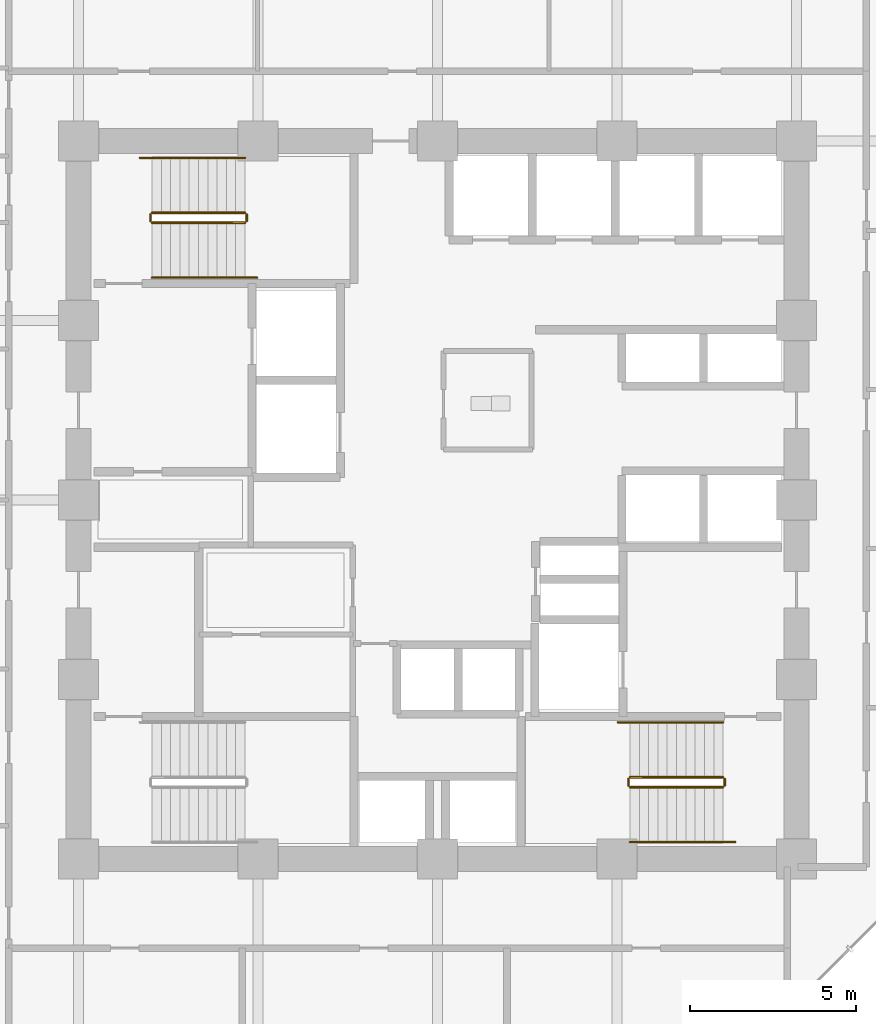
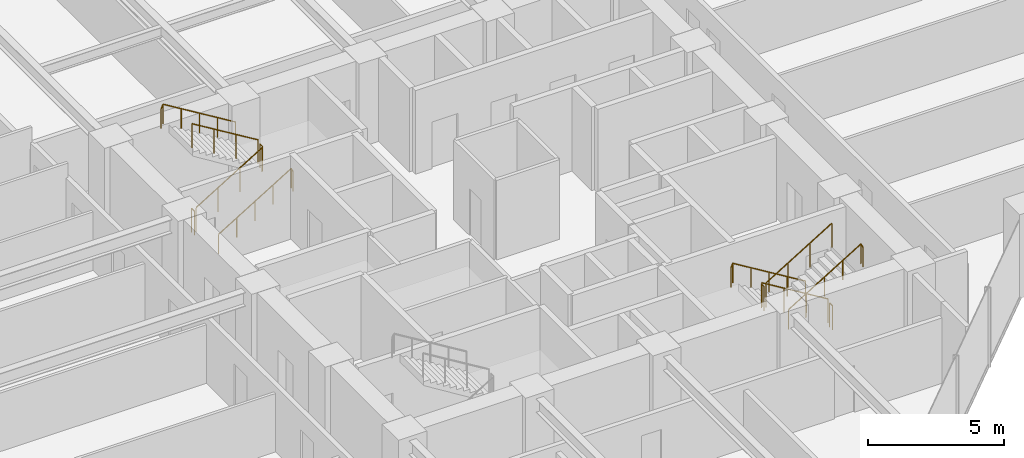
# One storey, part 26 of 28: 12 railings.
"""IFC4 building model written with IfcOpenShell, lengths in metres."""

from ifc_helpers import new_model, si_unit, direction, frame, origin, origin_2d, place, context, subcontext, project, spatial, circle, extrude, material, type_object, element, save


model = new_model("IFC4")

# Units and contexts
model_context = context("Model", 3, precision=1e-05, world=origin(), true_north=direction((0.0, 1.0)))
body_context = subcontext(model_context, "Body", "Model", "MODEL_VIEW")
ifc_project = project(units=[si_unit("LENGTHUNIT", "METRE"), si_unit("AREAUNIT", "SQUARE_METRE"), si_unit("VOLUMEUNIT", "CUBIC_METRE"), si_unit("PLANEANGLEUNIT", "RADIAN"), si_unit("MASSUNIT", "GRAM", prefix="KILO")], contexts=[model_context])

# Site, building, storey
site_placement = place(None, origin())
site = spatial("IfcSite", under=ifc_project, at=site_placement, CompositionType="ELEMENT")
building_placement = place(site_placement, origin())
building = spatial("IfcBuilding", under=site, at=building_placement, Name="Surkhivell Harbour Commons", CompositionType="ELEMENT")
storey_placement = place(building_placement, frame((0.0, 0.0, 67.5)))
storey = spatial("IfcBuildingStorey", under=building, at=storey_placement, Name="L17", CompositionType="ELEMENT", Elevation=67.5)

# Railings
ifc_material_1 = material(Name="Galvanised and painted steel S355 guard rail", Category="steel")
railing_type_1 = type_object("IfcRailingType", Name="RAL-ST-GRD1100", PredefinedType="GUARDRAIL", material=ifc_material_1)
railing_1_placement = place(storey_placement, frame((-8.590087890625, 8.340087890625, 0.17041015625)))
element("IfcRailing", 1, at=railing_1_placement, inside=storey, type_object=railing_type_1, Name="L17 ST1 stair guard 1", PredefinedType="GUARDRAIL", context=body_context, shape_type="SweptSolid", body=[
    extrude(circle(Radius=0.02392578125, at=origin_2d()), frame((0.0, 0.0, 1.076171875), z_axis=(0.854169791009, 0.0, 0.51999420009), x_axis=(0.0, 1.0, 0.0)), (0.0, 0.0, 1.0), 3.278076171875),
    extrude(circle(Radius=0.02099609375, at=origin_2d()), origin(), (0.0, 0.0, 1.0), 1.052001953125),
    extrude(circle(Radius=0.02099609375, at=origin_2d()), frame((0.933349609375, 0.0, 0.568115234375)), (0.0, 0.0, 1.0), 1.052001953125),
    extrude(circle(Radius=0.02099609375, at=origin_2d()), frame((1.86669921875, 0.0, 1.136474609375)), (0.0, 0.0, 1.0), 1.052001953125),
    extrude(circle(Radius=0.02099609375, at=origin_2d()), frame((2.800048828125, 0.0, 1.70458984375)), (0.0, 0.0, 1.0), 1.052001953125),
])
railing_2_placement = place(storey_placement, frame((-5.739990234375, 8.389892578125, 1.875)))
element("IfcRailing", 2, at=railing_2_placement, inside=storey, type_object=railing_type_1, Name="L17 ST1 stair guard 2", PredefinedType="GUARDRAIL", context=body_context, shape_type="SweptSolid", body=[
    extrude(circle(Radius=0.02392578125, at=origin_2d()), frame((0.0, 0.0, 1.076171875), z_axis=(0.0, 1.0, 0.0), x_axis=(-1.0, 0.0, 0.0)), (0.0, 0.0, 1.0), 0.2001953125),
    extrude(circle(Radius=0.02099609375, at=origin_2d()), origin(), (0.0, 0.0, 1.0), 1.052001953125),
    extrude(circle(Radius=0.02099609375, at=origin_2d()), frame((0.0, 0.2001953125, 0.0)), (0.0, 0.0, 1.0), 1.052001953125),
])
railing_3_placement = place(storey_placement, frame((-5.7900390625, 8.639892578125, 2.04541015625)))
element("IfcRailing", 3, at=railing_3_placement, inside=storey, type_object=railing_type_1, Name="L17 ST1 stair guard 3", PredefinedType="GUARDRAIL", context=body_context, shape_type="SweptSolid", body=[
    extrude(circle(Radius=0.02392578125, at=origin_2d()), frame((0.0, 0.0, 1.076171875), z_axis=(-0.854169791009, 0.0, 0.51999420009), x_axis=(0.0, -1.0, 0.0)), (0.0, 0.0, 1.0), 3.278076171875),
    extrude(circle(Radius=0.02099609375, at=origin_2d()), origin(), (0.0, 0.0, 1.0), 1.052001953125),
    extrude(circle(Radius=0.02099609375, at=origin_2d()), frame((-0.933349609375, 0.0, 0.568115234375)), (0.0, 0.0, 1.0), 1.052001953125),
    extrude(circle(Radius=0.02099609375, at=origin_2d()), frame((-1.86669921875, 0.0, 1.136474609375)), (0.0, 0.0, 1.0), 1.052001953125),
    extrude(circle(Radius=0.02099609375, at=origin_2d()), frame((-2.800048828125, 0.0, 1.70458984375)), (0.0, 0.0, 1.0), 1.052001953125),
])
railing_4_placement = place(storey_placement, frame((-8.639892578125, 8.389892578125, 0.0)))
element("IfcRailing", 4, at=railing_4_placement, inside=storey, type_object=railing_type_1, Name="L17 ST1 stair guard 4", PredefinedType="GUARDRAIL", context=body_context, shape_type="SweptSolid", body=[
    extrude(circle(Radius=0.02392578125, at=origin_2d()), frame((0.0, 0.0, 1.076171875), z_axis=(0.0, 1.0, 0.0), x_axis=(-1.0, 0.0, 0.0)), (0.0, 0.0, 1.0), 0.2001953125),
    extrude(circle(Radius=0.02099609375, at=origin_2d()), origin(), (0.0, 0.0, 1.0), 1.052001953125),
    extrude(circle(Radius=0.02099609375, at=origin_2d()), frame((0.0, 0.2001953125, 0.0)), (0.0, 0.0, 1.0), 1.052001953125),
])
railing_5_placement = place(storey_placement, frame((8.590087890625, -8.340087890625, 0.17041015625)))
element("IfcRailing", 5, at=railing_5_placement, inside=storey, type_object=railing_type_1, Name="L17 ST2 stair guard 1", PredefinedType="GUARDRAIL", context=body_context, shape_type="SweptSolid", body=[
    extrude(circle(Radius=0.02392578125, at=origin_2d()), frame((0.0, 0.0, 1.076171875), z_axis=(-0.854169791009, 0.0, 0.51999420009), x_axis=(0.0, -1.0, 0.0)), (0.0, 0.0, 1.0), 3.278076171875),
    extrude(circle(Radius=0.02099609375, at=origin_2d()), origin(), (0.0, 0.0, 1.0), 1.052001953125),
    extrude(circle(Radius=0.02099609375, at=origin_2d()), frame((-0.933349609375, 0.0, 0.568115234375)), (0.0, 0.0, 1.0), 1.052001953125),
    extrude(circle(Radius=0.02099609375, at=origin_2d()), frame((-1.86669921875, 0.0, 1.136474609375)), (0.0, 0.0, 1.0), 1.052001953125),
    extrude(circle(Radius=0.02099609375, at=origin_2d()), frame((-2.800048828125, 0.0, 1.70458984375)), (0.0, 0.0, 1.0), 1.052001953125),
])
railing_6_placement = place(storey_placement, frame((5.739990234375, -8.389892578125, 1.875)))
element("IfcRailing", 6, at=railing_6_placement, inside=storey, type_object=railing_type_1, Name="L17 ST2 stair guard 2", PredefinedType="GUARDRAIL", context=body_context, shape_type="SweptSolid", body=[
    extrude(circle(Radius=0.02392578125, at=origin_2d()), frame((0.0, 0.0, 1.076171875), z_axis=(0.0, -1.0, 0.0), x_axis=(1.0, 0.0, 0.0)), (0.0, 0.0, 1.0), 0.2001953125),
    extrude(circle(Radius=0.02099609375, at=origin_2d()), origin(), (0.0, 0.0, 1.0), 1.052001953125),
    extrude(circle(Radius=0.02099609375, at=origin_2d()), frame((0.0, -0.2001953125, 0.0)), (0.0, 0.0, 1.0), 1.052001953125),
])
railing_7_placement = place(storey_placement, frame((5.7900390625, -8.639892578125, 2.04541015625)))
element("IfcRailing", 7, at=railing_7_placement, inside=storey, type_object=railing_type_1, Name="L17 ST2 stair guard 3", PredefinedType="GUARDRAIL", context=body_context, shape_type="SweptSolid", body=[
    extrude(circle(Radius=0.02392578125, at=origin_2d()), frame((0.0, 0.0, 1.076171875), z_axis=(0.854169791009, 0.0, 0.51999420009), x_axis=(0.0, 1.0, 0.0)), (0.0, 0.0, 1.0), 3.278076171875),
    extrude(circle(Radius=0.02099609375, at=origin_2d()), origin(), (0.0, 0.0, 1.0), 1.052001953125),
    extrude(circle(Radius=0.02099609375, at=origin_2d()), frame((0.933349609375, 0.0, 0.568115234375)), (0.0, 0.0, 1.0), 1.052001953125),
    extrude(circle(Radius=0.02099609375, at=origin_2d()), frame((1.86669921875, 0.0, 1.136474609375)), (0.0, 0.0, 1.0), 1.052001953125),
    extrude(circle(Radius=0.02099609375, at=origin_2d()), frame((2.800048828125, 0.0, 1.70458984375)), (0.0, 0.0, 1.0), 1.052001953125),
])
railing_8_placement = place(storey_placement, frame((8.639892578125, -8.389892578125, 0.0)))
element("IfcRailing", 8, at=railing_8_placement, inside=storey, type_object=railing_type_1, Name="L17 ST2 stair guard 4", PredefinedType="GUARDRAIL", context=body_context, shape_type="SweptSolid", body=[
    extrude(circle(Radius=0.02392578125, at=origin_2d()), frame((0.0, 0.0, 1.076171875), z_axis=(0.0, -1.0, 0.0), x_axis=(1.0, 0.0, 0.0)), (0.0, 0.0, 1.0), 0.2001953125),
    extrude(circle(Radius=0.02099609375, at=origin_2d()), origin(), (0.0, 0.0, 1.0), 1.052001953125),
    extrude(circle(Radius=0.02099609375, at=origin_2d()), frame((0.0, -0.2001953125, 0.0)), (0.0, 0.0, 1.0), 1.052001953125),
])
ifc_material_2 = material(Name="Brushed stainless steel S355 handrail", Category="steel")
railing_type_2 = type_object("IfcRailingType", Name="RAL-ST-HND900", PredefinedType="HANDRAIL", material=ifc_material_2)
railing_9_placement = place(storey_placement, frame((-8.590087890625, 6.68994140625, 0.17041015625)))
element("IfcRailing", 9, at=railing_9_placement, inside=storey, type_object=railing_type_2, Name="L17 ST1 stair handrail 1", PredefinedType="HANDRAIL", context=body_context, shape_type="SweptSolid", body=[
    extrude(circle(Radius=0.02392578125, at=origin_2d()), frame((0.0, 0.0, 0.8759765625), z_axis=(0.854177636135, 0.0, 0.519981313056), x_axis=(0.0, 1.0, 0.0)), (0.0, 0.0, 1.0), 3.60595703125),
    extrude(circle(Radius=0.02392578125, at=origin_2d()), frame((3.080078125, 0.0, 2.7509765625), z_axis=(0.425297416671, 0.0, -0.905053648892), x_axis=(0.0, 1.0, 0.0)), (0.0, 0.0, 1.0), 0.188232421875),
    extrude(circle(Radius=0.02099609375, at=origin_2d()), origin(), (0.0, 0.0, 1.0), 0.851806640625),
    extrude(circle(Radius=0.02099609375, at=origin_2d()), frame((0.77001953125, 0.0, 0.46875)), (0.0, 0.0, 1.0), 0.851806640625),
    extrude(circle(Radius=0.02099609375, at=origin_2d()), frame((1.5400390625, 0.0, 0.9375)), (0.0, 0.0, 1.0), 0.851806640625),
    extrude(circle(Radius=0.02099609375, at=origin_2d()), frame((2.31005859375, 0.0, 1.40625)), (0.0, 0.0, 1.0), 0.851806640625),
    extrude(circle(Radius=0.02099609375, at=origin_2d()), frame((3.080078125, 0.0, 1.875)), (0.0, 0.0, 1.0), 0.851806640625),
    extrude(circle(Radius=0.02099609375, at=origin_2d()), frame((3.16015625, 0.0, 1.70458984375)), (0.0, 0.0, 1.0), 0.851806640625),
])
railing_10_placement = place(storey_placement, frame((-5.7900390625, 10.2900390625, 2.04541015625)))
element("IfcRailing", 10, at=railing_10_placement, inside=storey, type_object=railing_type_2, Name="L17 ST1 stair handrail 2", PredefinedType="HANDRAIL", context=body_context, shape_type="SweptSolid", body=[
    extrude(circle(Radius=0.02392578125, at=origin_2d()), frame((0.0, 0.0, 0.8759765625), z_axis=(-0.854177636135, 0.0, 0.519981313056), x_axis=(0.0, -1.0, 0.0)), (0.0, 0.0, 1.0), 3.60595703125),
    extrude(circle(Radius=0.02392578125, at=origin_2d()), frame((-3.080078125, 0.0, 2.7509765625), z_axis=(-0.424234432967, 0.0, -0.905552398199), x_axis=(0.0, -1.0, 0.0)), (0.0, 0.0, 1.0), 0.188232421875),
    extrude(circle(Radius=0.02099609375, at=origin_2d()), origin(), (0.0, 0.0, 1.0), 0.851806640625),
    extrude(circle(Radius=0.02099609375, at=origin_2d()), frame((-0.77001953125, 0.0, 0.46875)), (0.0, 0.0, 1.0), 0.851806640625),
    extrude(circle(Radius=0.02099609375, at=origin_2d()), frame((-1.5400390625, 0.0, 0.9375)), (0.0, 0.0, 1.0), 0.851806640625),
    extrude(circle(Radius=0.02099609375, at=origin_2d()), frame((-2.31005859375, 0.0, 1.40625)), (0.0, 0.0, 1.0), 0.851806640625),
    extrude(circle(Radius=0.02099609375, at=origin_2d()), frame((-3.080078125, 0.0, 1.875)), (0.0, 0.0, 1.0), 0.851806640625),
    extrude(circle(Radius=0.02099609375, at=origin_2d()), frame((-3.159912109375, 0.0, 1.70458984375)), (0.0, 0.0, 1.0), 0.851806640625),
])
railing_11_placement = place(storey_placement, frame((8.590087890625, -6.68994140625, 0.17041015625)))
element("IfcRailing", 11, at=railing_11_placement, inside=storey, type_object=railing_type_2, Name="L17 ST2 stair handrail 1", PredefinedType="HANDRAIL", context=body_context, shape_type="SweptSolid", body=[
    extrude(circle(Radius=0.02392578125, at=origin_2d()), frame((0.0, 0.0, 0.8759765625), z_axis=(-0.854177636135, 0.0, 0.519981313056), x_axis=(0.0, -1.0, 0.0)), (0.0, 0.0, 1.0), 3.60595703125),
    extrude(circle(Radius=0.02392578125, at=origin_2d()), frame((-3.080078125, 0.0, 2.7509765625), z_axis=(-0.425297416671, 0.0, -0.905053648892), x_axis=(0.0, -1.0, 0.0)), (0.0, 0.0, 1.0), 0.188232421875),
    extrude(circle(Radius=0.02099609375, at=origin_2d()), origin(), (0.0, 0.0, 1.0), 0.851806640625),
    extrude(circle(Radius=0.02099609375, at=origin_2d()), frame((-0.77001953125, 0.0, 0.46875)), (0.0, 0.0, 1.0), 0.851806640625),
    extrude(circle(Radius=0.02099609375, at=origin_2d()), frame((-1.5400390625, 0.0, 0.9375)), (0.0, 0.0, 1.0), 0.851806640625),
    extrude(circle(Radius=0.02099609375, at=origin_2d()), frame((-2.31005859375, 0.0, 1.40625)), (0.0, 0.0, 1.0), 0.851806640625),
    extrude(circle(Radius=0.02099609375, at=origin_2d()), frame((-3.080078125, 0.0, 1.875)), (0.0, 0.0, 1.0), 0.851806640625),
    extrude(circle(Radius=0.02099609375, at=origin_2d()), frame((-3.16015625, 0.0, 1.70458984375)), (0.0, 0.0, 1.0), 0.851806640625),
])
railing_12_placement = place(storey_placement, frame((5.7900390625, -10.2900390625, 2.04541015625)))
element("IfcRailing", 12, at=railing_12_placement, inside=storey, type_object=railing_type_2, Name="L17 ST2 stair handrail 2", PredefinedType="HANDRAIL", context=body_context, shape_type="SweptSolid", body=[
    extrude(circle(Radius=0.02392578125, at=origin_2d()), frame((0.0, 0.0, 0.8759765625), z_axis=(0.854177636135, 0.0, 0.519981313056), x_axis=(0.0, 1.0, 0.0)), (0.0, 0.0, 1.0), 3.60595703125),
    extrude(circle(Radius=0.02392578125, at=origin_2d()), frame((3.080078125, 0.0, 2.7509765625), z_axis=(0.424234432967, 0.0, -0.905552398199), x_axis=(0.0, 1.0, 0.0)), (0.0, 0.0, 1.0), 0.188232421875),
    extrude(circle(Radius=0.02099609375, at=origin_2d()), origin(), (0.0, 0.0, 1.0), 0.851806640625),
    extrude(circle(Radius=0.02099609375, at=origin_2d()), frame((0.77001953125, 0.0, 0.46875)), (0.0, 0.0, 1.0), 0.851806640625),
    extrude(circle(Radius=0.02099609375, at=origin_2d()), frame((1.5400390625, 0.0, 0.9375)), (0.0, 0.0, 1.0), 0.851806640625),
    extrude(circle(Radius=0.02099609375, at=origin_2d()), frame((2.31005859375, 0.0, 1.40625)), (0.0, 0.0, 1.0), 0.851806640625),
    extrude(circle(Radius=0.02099609375, at=origin_2d()), frame((3.080078125, 0.0, 1.875)), (0.0, 0.0, 1.0), 0.851806640625),
    extrude(circle(Radius=0.02099609375, at=origin_2d()), frame((3.159912109375, 0.0, 1.70458984375)), (0.0, 0.0, 1.0), 0.851806640625),
])

save(model, "model.ifc")
